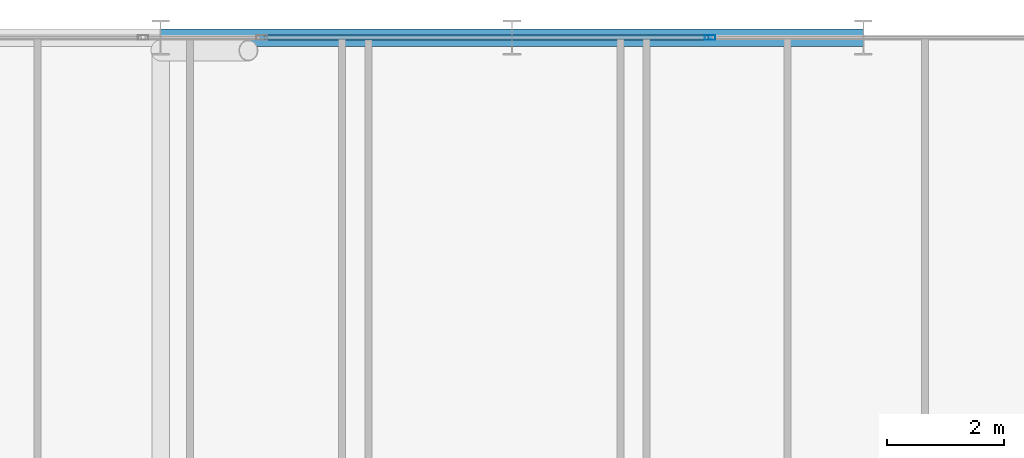
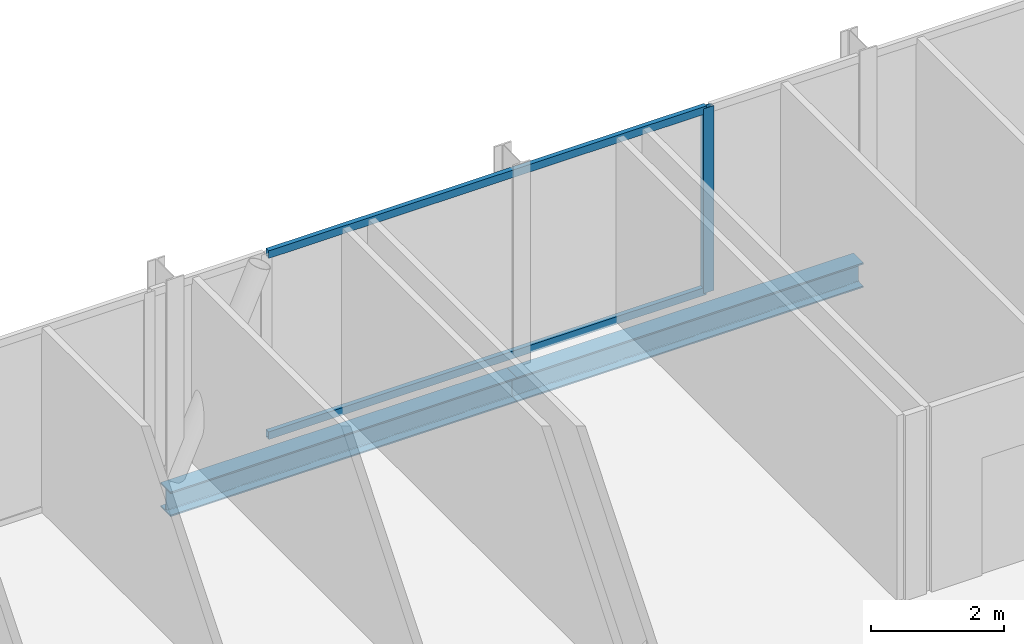
# One storey, part 19 of 29: 3 members, 2 beams, 1 element without a shape of its own.
"""IFC4 building model written with IfcOpenShell, lengths in metres."""

from ifc_helpers import new_model, si_unit, direction, frame, origin, origin_2d, place, context, subcontext, project, spatial, hollow_rectangle, i_section, extrude, material, layer, layer_set, material_profile, profile_set, type_object, element, aggregate, save


model = new_model("IFC4")

# Units and contexts
model_context = context("Model", 3, precision=1e-05, world=origin(), true_north=direction((0.0, 1.0)))
body_context = subcontext(model_context, "Body", "Model", "MODEL_VIEW")
ifc_project = project(units=[si_unit("LENGTHUNIT", "METRE"), si_unit("AREAUNIT", "SQUARE_METRE"), si_unit("VOLUMEUNIT", "CUBIC_METRE"), si_unit("PLANEANGLEUNIT", "RADIAN"), si_unit("MASSUNIT", "GRAM", prefix="KILO")], contexts=[model_context])

# Site, building, storey
site_placement = place(None, origin())
site = spatial("IfcSite", under=ifc_project, at=site_placement, CompositionType="ELEMENT")
building_placement = place(site_placement, origin())
building = spatial("IfcBuilding", under=site, at=building_placement, Name="Keshet Zoharim Tower", CompositionType="ELEMENT")
storey_placement = place(building_placement, frame((0.0, 0.0, 105.699951171875)))
storey = spatial("IfcBuildingStorey", under=building, at=storey_placement, Name="L25", CompositionType="ELEMENT", Elevation=105.699951171875)

# Beams
ifc_material_1 = material(Name="Steel S355", Category="steel")
ifc_material_profile_1 = material_profile(ifc_material_1, i_section(OverallWidth=0.300048828125, OverallDepth=0.449951171875, WebThickness=0.013916015625, FlangeThickness=0.02587890625, FilletRadius=0.027099609375, at=origin_2d()), Name="HEB450")
ifc_profile_set_1 = profile_set([ifc_material_profile_1], Name="Steel S355")
beam_type = type_object("IfcBeamType", Name="BM-WEB-HB450", PredefinedType="BEAM", material=ifc_profile_set_1)
for number, where, z_axis, x_axis, name in (
    (1, (33.0, 53.89990234375, -0.5400390625), (1.0, 0.0, 0.0), (0.0, 1.0, 0.0), "L25 Primary Girder X-021"),
    (2, (39.0, 53.89990234375, -0.5400390625), (1.0, 0.0, 0.0), (0.0, 1.0, 0.0), "L25 Primary Girder X-022"),
):
    element("IfcBeam", number, at=place(storey_placement, frame(where, z_axis=z_axis, x_axis=x_axis)), inside=storey, type_object=beam_type, Name=name, PredefinedType="BEAM", context=body_context, shape_type="SweptSolid", body=[
        extrude(i_section(OverallWidth=0.300048828125, OverallDepth=0.449951171875, WebThickness=0.013916015625, FlangeThickness=0.02587890625, FilletRadius=0.027099609375, at=origin_2d()), origin(), (0.0, 0.0, 1.0), 6.0),
    ])

# Curtain wall, members
ifc_material_2 = material(Name="Aluminium 6063-T6", Category="aluminium")
ifc_layer = layer(ifc_material_2, 0.159912109375)
ifc_layer_set = layer_set([ifc_layer], Name="Aluminium 6063-T6")
curtain_wall_type = type_object("IfcCurtainWallType", Name="CW-SYS-03", PredefinedType="NOTDEFINED", material=ifc_layer_set)
curtain_wall_placement = place(storey_placement, origin())
curtain_wall = element("IfcCurtainWall", 3, at=curtain_wall_placement, inside=storey, type_object=curtain_wall_type, Name="L25 Unitised Curtain Wall 13 Part 5", PredefinedType="NOTDEFINED")
ifc_material_profile_2 = material_profile(ifc_material_2, hollow_rectangle(XDim=0.080078125, YDim=0.179931640625, WallThickness=0.00439453125, at=origin_2d()), Name="MUL-80x180")
ifc_profile_set_2 = profile_set([ifc_material_profile_2], Name="Aluminium 6063-T6")
member_type_1 = type_object("IfcMemberType", Name="CWM-M18", PredefinedType="MULLION", material=ifc_profile_set_2)
member_1_placement = place(storey_placement, frame((42.38134765625, 53.89990234375, 0.0), z_axis=(0.0, 0.0, 1.0), x_axis=(0.0, 1.0, 0.0)))
member_1 = element("IfcMember", 4, at=member_1_placement, type_object=member_type_1, Name="CW-03 mullion 2", PredefinedType="MULLION", context=body_context, shape_type="SweptSolid", body=[
    extrude(hollow_rectangle(XDim=0.080078125, YDim=0.179931640625, WallThickness=0.00439453125, at=origin_2d()), origin(), (0.0, 0.0, 1.0), 3.385009765625),
])
ifc_material_profile_3 = material_profile(ifc_material_2, hollow_rectangle(XDim=0.080078125, YDim=0.139892578125, WallThickness=0.00390625, at=origin_2d()), Name="TRN-80x140")
ifc_profile_set_3 = profile_set([ifc_material_profile_3], Name="Aluminium 6063-T6")
member_type_2 = type_object("IfcMemberType", Name="CWT-T14", PredefinedType="USERDEFINED", material=ifc_profile_set_3)
member_2_placement = place(storey_placement, frame((34.7626953125, 53.89990234375, 0.03515625), z_axis=(1.0, 0.0, 0.0), x_axis=(0.0, 1.0, 0.0)))
member_2 = element("IfcMember", 5, at=member_2_placement, type_object=member_type_2, Name="CW-03 transom 1.1", ObjectType="TRANSOM", PredefinedType="USERDEFINED", context=body_context, shape_type="SweptSolid", body=[
    extrude(hollow_rectangle(XDim=0.080078125, YDim=0.139892578125, WallThickness=0.00390625, at=origin_2d()), origin(), (0.0, 0.0, 1.0), 7.58349609375),
])
member_3_placement = place(storey_placement, frame((34.7626953125, 53.89990234375, 3.35009765625), z_axis=(1.0, 0.0, 0.0), x_axis=(0.0, 1.0, 0.0)))
member_3 = element("IfcMember", 6, at=member_3_placement, type_object=member_type_2, Name="CW-03 transom 1.2", ObjectType="TRANSOM", PredefinedType="USERDEFINED", context=body_context, shape_type="SweptSolid", body=[
    extrude(hollow_rectangle(XDim=0.080078125, YDim=0.139892578125, WallThickness=0.00390625, at=origin_2d()), origin(), (0.0, 0.0, 1.0), 7.58349609375),
])
aggregate(curtain_wall, [member_1, member_2, member_3])

save(model, "model.ifc")
